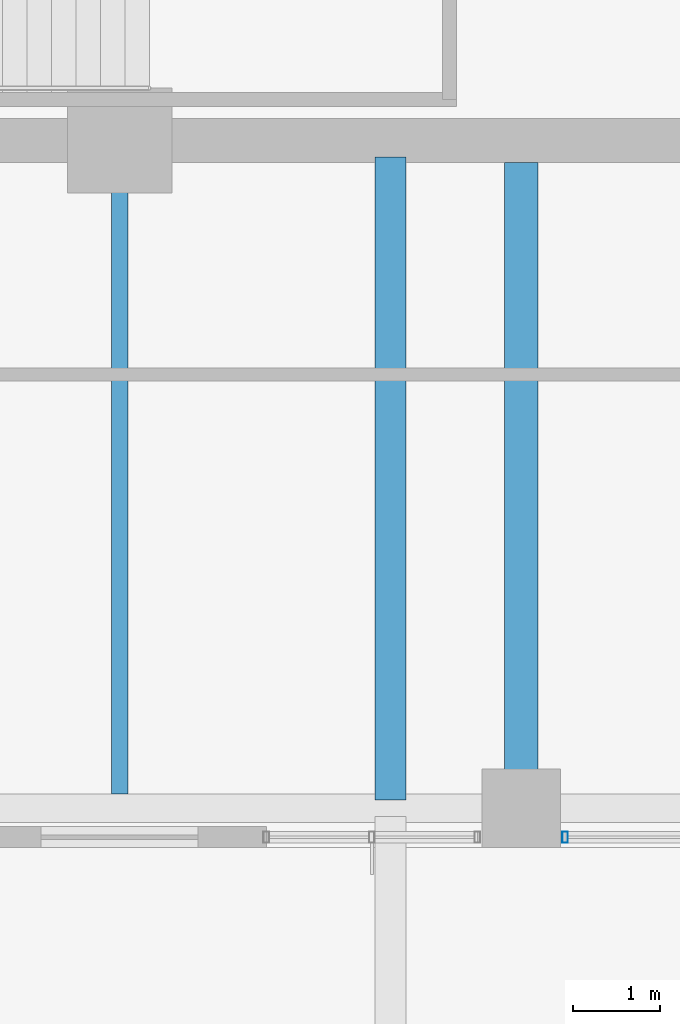
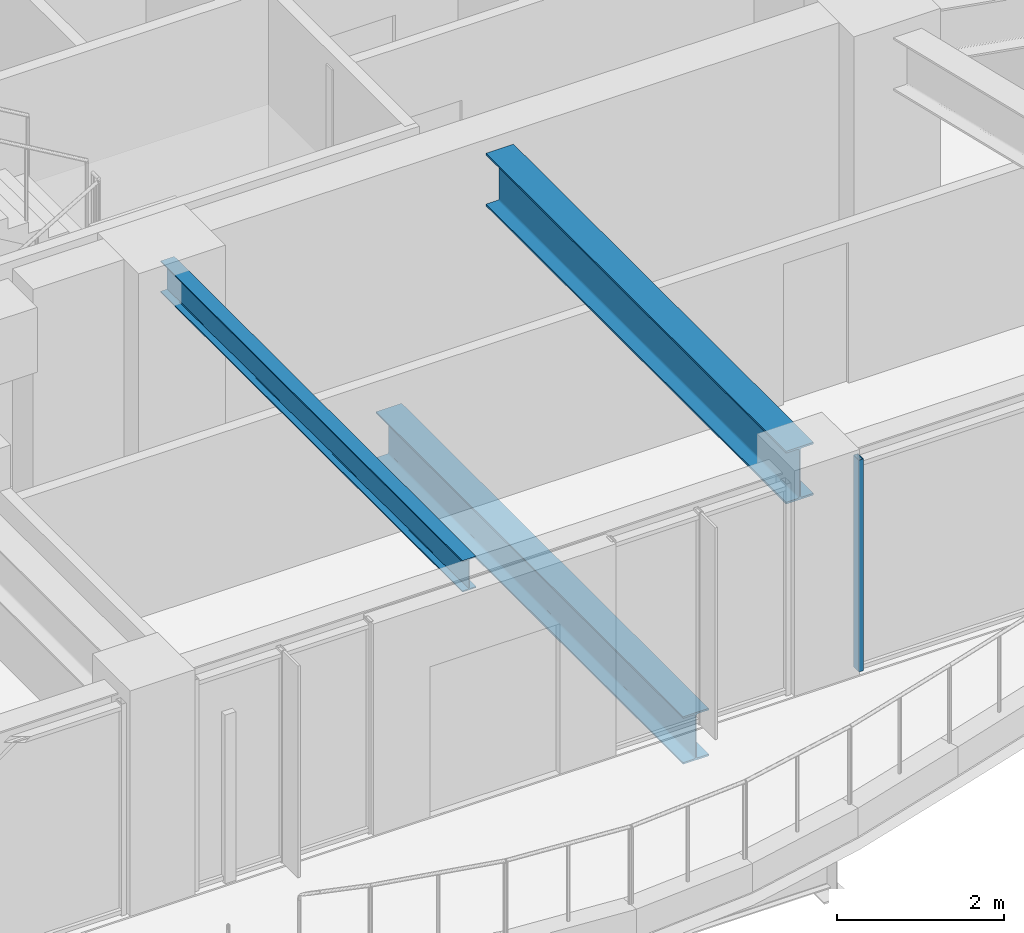
# One storey, part 7 of 31: 3 beams, 1 member, 1 element without a shape of its own.
"""IFC4 building model written with IfcOpenShell, lengths in metres."""

from ifc_helpers import new_model, si_unit, direction, frame, origin, origin_2d, place, context, subcontext, project, spatial, hollow_rectangle, i_section, extrude, material, material_profile, profile_set, type_object, element, aggregate, save


model = new_model("IFC4")

# Units and contexts
model_context = context("Model", 3, precision=1e-05, world=origin(), true_north=direction((0.0, 1.0)))
body_context = subcontext(model_context, "Body", "Model", "MODEL_VIEW")
ifc_project = project(units=[si_unit("LENGTHUNIT", "METRE"), si_unit("AREAUNIT", "SQUARE_METRE"), si_unit("VOLUMEUNIT", "CUBIC_METRE"), si_unit("PLANEANGLEUNIT", "RADIAN"), si_unit("MASSUNIT", "GRAM", prefix="KILO")], contexts=[model_context])

# Site, building, storey
site_placement = place(None, origin())
site = spatial("IfcSite", under=ifc_project, at=site_placement, CompositionType="ELEMENT")
building_placement = place(site_placement, origin())
building = spatial("IfcBuilding", under=site, at=building_placement, Name="Kolvaren Belvedere", CompositionType="ELEMENT")
storey_placement = place(building_placement, frame((0.0, 0.0, 138.199951171875)))
storey = spatial("IfcBuildingStorey", under=building, at=storey_placement, Name="L40", CompositionType="ELEMENT", Elevation=138.199951171875)

# Beams
ifc_material_1 = material(Name="Structural steel ASTM A992 Grade 50", Category="steel")
ifc_material_profile_1 = material_profile(ifc_material_1, i_section(OverallWidth=0.35498046875, OverallDepth=0.696044921875, WebThickness=0.015380859375, FlangeThickness=0.02490234375, FilletRadius=0.02197265625, at=origin_2d()), Name="W27X146")
ifc_profile_set_1 = profile_set([ifc_material_profile_1], Name="Structural steel ASTM A992 Grade 50")
beam_type_1 = type_object("IfcBeamType", Name="BM-GIRD-W27X146", PredefinedType="BEAM", material=ifc_profile_set_1)
beam_1_placement = place(storey_placement, frame((3.10009765625, -10.090087890625, -0.5478515625), z_axis=(0.0, -1.0, 0.0), x_axis=(1.0, 0.0, 0.0)))
element("IfcBeam", 1, at=beam_1_placement, inside=storey, type_object=beam_type_1, Name="L40 Balcony Interior Back-Span Girder BAL-S-2", PredefinedType="BEAM", context=body_context, shape_type="SweptSolid", body=[
    extrude(i_section(OverallWidth=0.35498046875, OverallDepth=0.696044921875, WebThickness=0.015380859375, FlangeThickness=0.02490234375, FilletRadius=0.02197265625, at=origin_2d()), origin(), (0.0, 0.0, 1.0), 7.364990234375),
])
ifc_material_2 = material(Name="Structural steel ASTM A992 Grade 50", Category="steel")
ifc_material_profile_2 = material_profile(ifc_material_2, i_section(OverallWidth=0.381103515625, OverallDepth=0.77294921875, WebThickness=0.0166015625, FlangeThickness=0.027099609375, FilletRadius=0.02392578125, at=origin_2d()), Name="W30X173")
ifc_profile_set_2 = profile_set([ifc_material_profile_2], Name="Structural steel ASTM A992 Grade 50")
beam_type_2 = type_object("IfcBeamType", Name="BM-GIRD-W30X173", PredefinedType="BEAM", material=ifc_profile_set_2)
beam_2_placement = place(storey_placement, frame((4.60009765625, -10.14990234375, 2.713623046875), z_axis=(0.0, -1.0, 0.0), x_axis=(1.0, 0.0, 0.0)))
element("IfcBeam", 2, at=beam_2_placement, inside=storey, type_object=beam_type_2, Name="L40 South Radial Girder P", PredefinedType="BEAM", context=body_context, shape_type="SweptSolid", body=[
    extrude(i_section(OverallWidth=0.381103515625, OverallDepth=0.77294921875, WebThickness=0.0166015625, FlangeThickness=0.027099609375, FilletRadius=0.02392578125, at=origin_2d()), origin(), (0.0, 0.0, 1.0), 7.197509765625),
])
ifc_material_3 = material(Name="Structural steel ASTM A992 Grade 50", Category="steel")
ifc_material_profile_3 = material_profile(ifc_material_3, i_section(OverallWidth=0.19091796875, OverallDepth=0.4599609375, WebThickness=0.010009765625, FlangeThickness=0.01611328125, FilletRadius=0.014892578125, at=origin_2d()), Name="W18X55")
ifc_profile_set_3 = profile_set([ifc_material_profile_3], Name="Structural steel ASTM A992 Grade 50")
beam_type_3 = type_object("IfcBeamType", Name="BM-JOIST-W18X55", PredefinedType="BEAM", material=ifc_profile_set_3)
beam_3_placement = place(storey_placement, frame((0.0, -10.14990234375, 2.8701171875), z_axis=(0.0, -1.0, 0.0), x_axis=(1.0, 0.0, 0.0)))
element("IfcBeam", 3, at=beam_3_placement, inside=storey, type_object=beam_type_3, Name="L40 South Centre Floor Beam", PredefinedType="BEAM", context=body_context, shape_type="SweptSolid", body=[
    extrude(i_section(OverallWidth=0.19091796875, OverallDepth=0.4599609375, WebThickness=0.010009765625, FlangeThickness=0.01611328125, FilletRadius=0.014892578125, at=origin_2d()), origin(), (0.0, 0.0, 1.0), 7.237548828125),
])

# Curtain wall, member
ifc_material_4 = material(Name="Anodised pale-metal aluminium AA 6063-T6", Category="aluminium")
curtain_wall_type = type_object("IfcCurtainWallType", Name="CW-Z3-WAIST", PredefinedType="NOTDEFINED", material=ifc_material_4)
curtain_wall_placement = place(storey_placement, origin())
curtain_wall = element("IfcCurtainWall", 4, at=curtain_wall_placement, inside=storey, type_object=curtain_wall_type, Name="L40 Unitised Curtain Wall FCW-L40-S1-B1", PredefinedType="NOTDEFINED")
ifc_material_5 = material(Name="Anodised pale-metal aluminium AA 6063-T6", Category="aluminium")
ifc_material_profile_4 = material_profile(ifc_material_5, hollow_rectangle(XDim=0.06494140625, YDim=0.1298828125, WallThickness=0.00390625, at=origin_2d()), Name="ALU-MUL-130X65")
ifc_profile_set_4 = profile_set([ifc_material_profile_4], Name="Anodised pale-metal aluminium AA 6063-T6")
member_type = type_object("IfcMemberType", Name="CW-MUL-130", PredefinedType="MULLION", material=ifc_profile_set_4)
member_placement = place(storey_placement, frame((5.1025390625, -17.8798828125, 0.0), z_axis=(0.0, 0.0, 1.0), x_axis=(1.0, 0.0, 0.0)))
member = element("IfcMember", 5, at=member_placement, type_object=member_type, Name="FCW-L40-S1-B1 Unitised Mullion 3", PredefinedType="MULLION", context=body_context, shape_type="SweptSolid", body=[
    extrude(hollow_rectangle(XDim=0.06494140625, YDim=0.1298828125, WallThickness=0.00390625, at=origin_2d()), origin(), (0.0, 0.0, 1.0), 3.10009765625),
])
aggregate(curtain_wall, [member])

save(model, "model.ifc")
